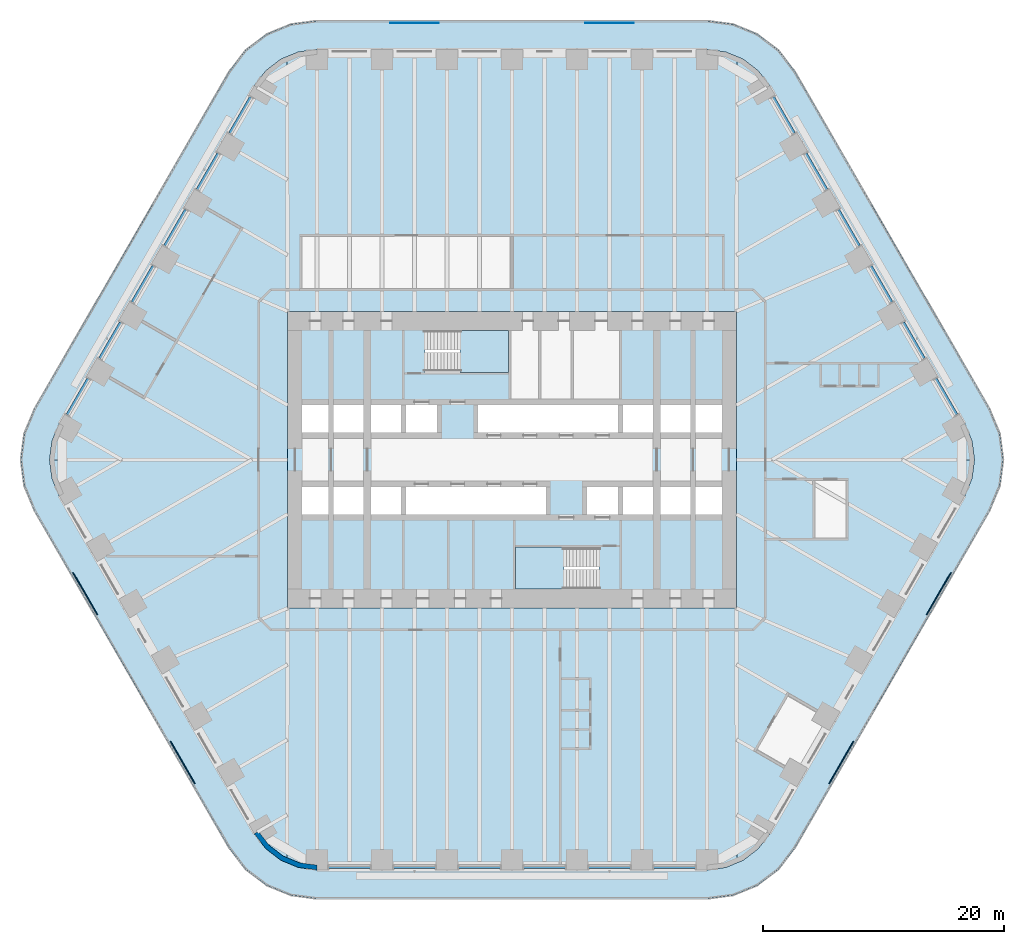
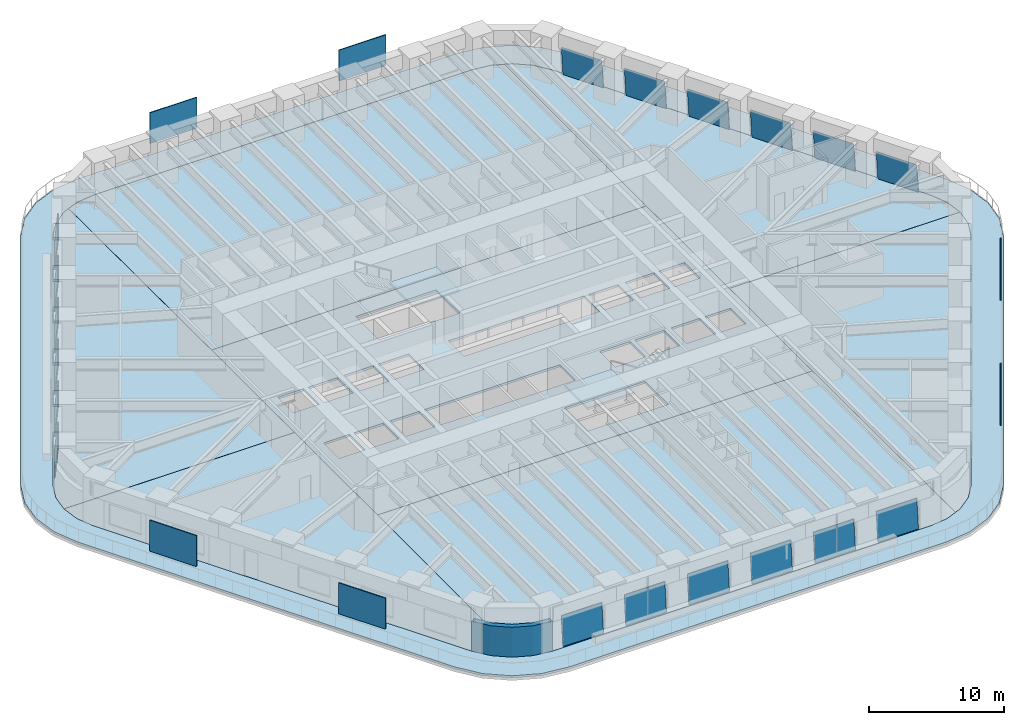
# One storey, part 15 of 24: 24 plates, 10 slabs, 1 wall, 20 elements without a shape of their own.
"""IFC4 building model written with IfcOpenShell, lengths in metres."""

from ifc_helpers import new_model, si_unit, direction, frame, origin, origin_2d, place, context, subcontext, project, spatial, polyline, rectangle, outline, extrude, material, layer, layer_set, type_object, element, aggregate, save


model = new_model("IFC4")

# Units and contexts
model_context = context("Model", 3, precision=1e-05, world=origin(), true_north=direction((0.0, 1.0)))
body_context = subcontext(model_context, "Body", "Model", "MODEL_VIEW")
ifc_project = project(units=[si_unit("LENGTHUNIT", "METRE"), si_unit("AREAUNIT", "SQUARE_METRE"), si_unit("VOLUMEUNIT", "CUBIC_METRE"), si_unit("PLANEANGLEUNIT", "RADIAN"), si_unit("MASSUNIT", "GRAM", prefix="KILO")], contexts=[model_context])

# Site, building, storey
site_placement = place(None, origin())
site = spatial("IfcSite", under=ifc_project, at=site_placement, CompositionType="ELEMENT")
building_placement = place(site_placement, origin())
building = spatial("IfcBuilding", under=site, at=building_placement, Name="Tarfa Lantern Tower", CompositionType="ELEMENT")
storey_placement = place(building_placement, frame((0.0, 0.0, 90.699951171875)))
storey = spatial("IfcBuildingStorey", under=building, at=storey_placement, Name="L20", CompositionType="ELEMENT", Elevation=90.699951171875)

# Slab
ifc_material_1 = material(Name="Concrete C40/50", Category="concrete")
ifc_layer_1 = layer(ifc_material_1, 0.199951171875)
ifc_layer_set_1 = layer_set([ifc_layer_1], Name="BS2 BALCONY SLAB 200")
slab_type_1 = type_object("IfcSlabType", Name="BS2 BALCONY SLAB 200", PredefinedType="FLOOR", material=ifc_layer_set_1)
slab_1_placement = place(storey_placement, frame((0.0, 0.0, -0.199951171875)))
element("IfcSlab", 1, at=slab_1_placement, inside=storey, type_object=slab_type_1, Name="Balcony L20", PredefinedType="FLOOR", context=body_context, shape_type="SweptSolid", body=[
    extrude(outline(polyline([(39.606201171875, 4.199951171875), (23.4404296875, 32.199951171875), (22.10546875, 33.939697265625), (20.36572265625, 35.274658203125), (18.33984375, 36.11376953125), (16.165771484375, 36.39990234375), (-16.165771484375, 36.39990234375), (-18.33984375, 36.11376953125), (-20.36572265625, 35.274658203125), (-22.10546875, 33.939697265625), (-23.4404296875, 32.199951171875), (-39.606201171875, 4.199951171875), (-40.4453125, 2.174072265625), (-40.731689453125, 0.0), (-40.4453125, -2.174072265625), (-39.606201171875, -4.199951171875), (-23.4404296875, -32.199951171875), (-22.10546875, -33.939697265625), (-20.36572265625, -35.274658203125), (-18.33984375, -36.11376953125), (-16.165771484375, -36.39990234375), (16.165771484375, -36.39990234375), (18.33984375, -36.11376953125), (20.36572265625, -35.274658203125), (22.10546875, -33.939697265625), (23.4404296875, -32.199951171875), (39.606201171875, -4.199951171875), (40.4453125, -2.174072265625), (40.731689453125, 0.0), (40.4453125, 2.174072265625), (39.606201171875, 4.199951171875)]), holes=[polyline([(37.52783203125, 3.0), (21.362060546875, 31.0), (20.408447265625, 32.24267578125), (19.165771484375, 33.196044921875), (17.71875, 33.795654296875), (16.165771484375, 34.0), (-16.165771484375, 34.0), (-17.71875, 33.795654296875), (-19.165771484375, 33.196044921875), (-20.408447265625, 32.24267578125), (-21.362060546875, 31.0), (-37.52783203125, 3.0), (-38.127197265625, 1.552978515625), (-38.33154296875, 0.0), (-38.127197265625, -1.552978515625), (-37.52783203125, -3.0), (-21.362060546875, -31.0), (-20.408447265625, -32.24267578125), (-19.165771484375, -33.196044921875), (-17.71875, -33.795654296875), (-16.165771484375, -34.0), (16.165771484375, -34.0), (17.71875, -33.795654296875), (19.165771484375, -33.196044921875), (20.408447265625, -32.24267578125), (21.362060546875, -31.0), (37.52783203125, -3.0), (38.127197265625, -1.552978515625), (38.33154296875, 0.0), (38.127197265625, 1.552978515625), (37.52783203125, 3.0)])]), origin(), (0.0, 0.0, 1.0), 0.199951171875),
])

# Curtain wall, plate
ifc_material_2 = material(Name="Aluminium framed curtain wall", Category="aluminium")
curtain_wall_type = type_object("IfcCurtainWallType", Name="CW1 CANTED GLAZING LOW ZONE 2700", PredefinedType="USERDEFINED", material=ifc_material_2)
curtain_wall_1_placement = place(storey_placement, origin())
curtain_wall_1 = element("IfcCurtainWall", 2, at=curtain_wall_1_placement, inside=storey, type_object=curtain_wall_type, Name="CW1 NE L20", ObjectType="CURTAIN WALL", PredefinedType="USERDEFINED")
ifc_material_3 = material(Name="Laminated double glazing", Category="glass")
ifc_layer_2 = layer(ifc_material_3, 0.028076171875)
ifc_layer_set_2 = layer_set([ifc_layer_2], Name="CWP1 DOUBLE GLAZED PANEL")
plate_type_1 = type_object("IfcPlateType", Name="CWP1 DOUBLE GLAZED PANEL", PredefinedType="CURTAIN_PANEL", material=ifc_layer_set_2)
plate_1_placement = place(storey_placement, frame((36.958740234375, 3.78564453125, 0.0), z_axis=(0.862328668437, 0.497885244559, 0.092193008634), x_axis=(-0.500014824519, 0.866016844675, 1.185802e-06)))
plate_1 = element("IfcPlate", 3, at=plate_1_placement, type_object=plate_type_1, Name="CW1 panel 1.1", PredefinedType="CURTAIN_PANEL", context=body_context, shape_type="SweptSolid", body=[
    extrude(outline(polyline([(0.0, 0.0), (3.4588050986823675, -2.7755575615628914e-17), (3.458687227400386, 2.6462757406584143), (0.00021563254350503633, 2.646283978259601), (0.0, 0.0)])), origin(), (0.0, 0.0, -1.0), 0.028076171875),
])
aggregate(curtain_wall_1, [plate_1])

curtain_wall_2_placement = place(storey_placement, origin())
curtain_wall_2 = element("IfcCurtainWall", 4, at=curtain_wall_2_placement, inside=storey, type_object=curtain_wall_type, Name="CW1 NE L20", ObjectType="CURTAIN WALL", PredefinedType="USERDEFINED")
plate_2_placement = place(storey_placement, frame((34.264404296875, 8.452392578125, 0.0), z_axis=(0.862340709651, 0.497857052326, 0.092232618567), x_axis=(-0.499988388526, 0.866032107567, 1.620746e-06)))
plate_2 = element("IfcPlate", 5, at=plate_2_placement, type_object=plate_type_1, Name="CW1 panel 1.1", PredefinedType="CURTAIN_PANEL", context=body_context, shape_type="SweptSolid", body=[
    extrude(outline(polyline([(0.0, 0.0), (3.4584715946188553, 0.0), (3.458680924575474, 2.6462839784417604), (-2.1036633928729573e-06, 2.646295237386087), (0.0, 0.0)])), origin(), (0.0, 0.0, -1.0), 0.028076171875),
])
aggregate(curtain_wall_2, [plate_2])

curtain_wall_3_placement = place(storey_placement, origin())
curtain_wall_3 = element("IfcCurtainWall", 6, at=curtain_wall_3_placement, inside=storey, type_object=curtain_wall_type, Name="CW1 NE L20", ObjectType="CURTAIN WALL", PredefinedType="USERDEFINED")
plate_3_placement = place(storey_placement, frame((31.570068359375, 13.119140625, 0.0), z_axis=(0.86231804758, 0.497899404143, 0.092215878092), x_axis=(-0.500029787915, 0.866008205036, -2.80672e-06)))
plate_3 = element("IfcPlate", 7, at=plate_3_placement, type_object=plate_type_1, Name="CW1 panel 1.1", PredefinedType="CURTAIN_PANEL", context=body_context, shape_type="SweptSolid", body=[
    extrude(outline(polyline([(0.0, 0.0), (3.458471593550903, 0.0), (3.458469494159286, 2.6462952359903724), (-0.00012417697655749924, 2.6462757386504), (0.0, 0.0)])), origin(), (0.0, 0.0, -1.0), 0.028076171875),
])
aggregate(curtain_wall_3, [plate_3])

curtain_wall_4_placement = place(storey_placement, origin())
curtain_wall_4 = element("IfcCurtainWall", 8, at=curtain_wall_4_placement, inside=storey, type_object=curtain_wall_type, Name="CW1 NE L20", ObjectType="CURTAIN WALL", PredefinedType="USERDEFINED")
plate_4_placement = place(storey_placement, frame((28.875732421875, 17.78564453125, 0.0), z_axis=(0.862328668437, 0.497885244559, 0.092193008634), x_axis=(-0.500014374553, 0.866017104462, -4.42593e-06)))
plate_4 = element("IfcPlate", 9, at=plate_4_placement, type_object=plate_type_1, Name="CW1 panel 1.1", PredefinedType="CURTAIN_PANEL", context=body_context, shape_type="SweptSolid", body=[
    extrude(outline(polyline([(0.0, 0.0), (3.458683024805527, 0.0), (3.45867231364208, 2.646295232853952), (7.864497178416369e-05, 2.646264486530969), (0.0, 0.0)])), origin(), (0.0, 0.0, -1.0), 0.028076171875),
])
aggregate(curtain_wall_4, [plate_4])

curtain_wall_5_placement = place(storey_placement, origin())
curtain_wall_5 = element("IfcCurtainWall", 10, at=curtain_wall_5_placement, inside=storey, type_object=curtain_wall_type, Name="CW1 NE L20", ObjectType="CURTAIN WALL", PredefinedType="USERDEFINED")
plate_5_placement = place(storey_placement, frame((26.181396484375, 22.452392578125, 0.0), z_axis=(0.862347061743, 0.497860719593, 0.092153399226), x_axis=(-0.499988388302, 0.866032107696, 1.619366e-06)))
plate_5 = element("IfcPlate", 11, at=plate_5_placement, type_object=plate_type_1, Name="CW1 panel 1.1", PredefinedType="CURTAIN_PANEL", context=body_context, shape_type="SweptSolid", body=[
    extrude(outline(polyline([(0.0, 0.0), (3.458471594618848, 0.0), (3.4585588533982596, 2.64626449077229), (-0.0001241748406306579, 2.6462757400462187), (0.0, 0.0)])), origin(), (0.0, 0.0, -1.0), 0.028076171875),
])
aggregate(curtain_wall_5, [plate_5])

curtain_wall_6_placement = place(storey_placement, origin())
curtain_wall_6 = element("IfcCurtainWall", 12, at=curtain_wall_6_placement, inside=storey, type_object=curtain_wall_type, Name="CW1 NE L20", ObjectType="CURTAIN WALL", PredefinedType="USERDEFINED")
plate_6_placement = place(storey_placement, frame((23.487060546875, 27.119140625, 0.0), z_axis=(0.862336442431, 0.497874879503, 0.092176268179), x_axis=(-0.500003541824, 0.866023358902, 0.0)))
plate_6 = element("IfcPlate", 13, at=plate_6_placement, type_object=plate_type_1, Name="CW1 panel 1.1", PredefinedType="CURTAIN_PANEL", context=body_context, shape_type="SweptSolid", body=[
    extrude(outline(polyline([(0.0, 0.0), (3.4584715951528233, 0.0), (3.4583474213801635, 2.6462757407441324), (-0.00012417377265973306, 2.6462757407441324), (0.0, 0.0)])), origin(), (0.0, 0.0, -1.0), 0.028076171875),
])
aggregate(curtain_wall_6, [plate_6])

curtain_wall_7_placement = place(storey_placement, origin())
curtain_wall_7 = element("IfcCurtainWall", 14, at=curtain_wall_7_placement, inside=storey, type_object=curtain_wall_type, Name="CW1 NW L20", ObjectType="CURTAIN WALL", PredefinedType="USERDEFINED")
plate_7_placement = place(storey_placement, frame((-21.7578125, 30.1142578125, 0.0), z_axis=(-0.862336442431, 0.497874879503, 0.092176268179), x_axis=(-0.500003541824, -0.866023358902, 0.0)))
plate_7 = element("IfcPlate", 15, at=plate_7_placement, type_object=plate_type_1, Name="CW1 panel 1.1", PredefinedType="CURTAIN_PANEL", context=body_context, shape_type="SweptSolid", body=[
    extrude(outline(polyline([(0.0, 0.0), (3.4584715951528233, 0.0), (3.4585957689254827, 2.6462757407441324), (0.00012417377265973306, 2.6462757407441324), (0.0, 0.0)])), origin(), (0.0, 0.0, -1.0), 0.028076171875),
])
aggregate(curtain_wall_7, [plate_7])

curtain_wall_8_placement = place(storey_placement, origin())
curtain_wall_8 = element("IfcCurtainWall", 16, at=curtain_wall_8_placement, inside=storey, type_object=curtain_wall_type, Name="CW1 NW L20", ObjectType="CURTAIN WALL", PredefinedType="USERDEFINED")
plate_8_placement = place(storey_placement, frame((-24.4521484375, 25.447509765625, 0.0), z_axis=(-0.862347061743, 0.497860719593, 0.092153399226), x_axis=(-0.499988388302, -0.866032107696, -1.619366e-06)))
plate_8 = element("IfcPlate", 17, at=plate_8_placement, type_object=plate_type_1, Name="CW1 panel 1.1", PredefinedType="CURTAIN_PANEL", context=body_context, shape_type="SweptSolid", body=[
    extrude(outline(polyline([(0.0, 0.0), (3.458471594618848, 0.0), (3.458595769459478, 2.6462757400462182), (-8.725877941228665e-05, 2.64626449077229), (0.0, 0.0)])), origin(), (0.0, 0.0, -1.0), 0.028076171875),
])
aggregate(curtain_wall_8, [plate_8])

curtain_wall_9_placement = place(storey_placement, origin())
curtain_wall_9 = element("IfcCurtainWall", 18, at=curtain_wall_9_placement, inside=storey, type_object=curtain_wall_type, Name="CW1 NW L20", ObjectType="CURTAIN WALL", PredefinedType="USERDEFINED")
plate_9_placement = place(storey_placement, frame((-27.146484375, 20.781005859375, 0.0), z_axis=(-0.862328668437, 0.497885244559, 0.092193008634), x_axis=(-0.500014374553, -0.866017104462, 4.42593e-06)))
plate_9 = element("IfcPlate", 19, at=plate_9_placement, type_object=plate_type_1, Name="CW1 panel 1.1", PredefinedType="CURTAIN_PANEL", context=body_context, shape_type="SweptSolid", body=[
    extrude(outline(polyline([(0.0, 0.0), (3.458683024805527, 0.0), (3.4586043798337425, 2.646264486530969), (1.0711163447508162e-05, 2.646295232853952), (0.0, 0.0)])), origin(), (0.0, 0.0, -1.0), 0.028076171875),
])
aggregate(curtain_wall_9, [plate_9])

curtain_wall_10_placement = place(storey_placement, origin())
curtain_wall_10 = element("IfcCurtainWall", 20, at=curtain_wall_10_placement, inside=storey, type_object=curtain_wall_type, Name="CW1 NW L20", ObjectType="CURTAIN WALL", PredefinedType="USERDEFINED")
plate_10_placement = place(storey_placement, frame((-29.8408203125, 16.1142578125, 0.0), z_axis=(-0.86231804758, 0.497899404143, 0.092215878092), x_axis=(-0.500029787915, -0.866008205036, 2.80672e-06)))
plate_10 = element("IfcPlate", 21, at=plate_10_placement, type_object=plate_type_1, Name="CW1 panel 1.1", PredefinedType="CURTAIN_PANEL", context=body_context, shape_type="SweptSolid", body=[
    extrude(outline(polyline([(0.0, 0.0), (3.458471593550903, 0.0), (3.4585957705274604, 2.6462757386504), (2.099391617293653e-06, 2.6462952359903724), (0.0, 0.0)])), origin(), (0.0, 0.0, -1.0), 0.028076171875),
])
aggregate(curtain_wall_10, [plate_10])

curtain_wall_11_placement = place(storey_placement, origin())
curtain_wall_11 = element("IfcCurtainWall", 22, at=curtain_wall_11_placement, inside=storey, type_object=curtain_wall_type, Name="CW1 NW L20", ObjectType="CURTAIN WALL", PredefinedType="USERDEFINED")
plate_11_placement = place(storey_placement, frame((-32.53515625, 11.447509765625, 0.0), z_axis=(-0.862340709651, 0.497857052326, 0.092232618567), x_axis=(-0.499988388526, -0.866032107567, -1.620746e-06)))
plate_11 = element("IfcPlate", 23, at=plate_11_placement, type_object=plate_type_1, Name="CW1 panel 1.1", PredefinedType="CURTAIN_PANEL", context=body_context, shape_type="SweptSolid", body=[
    extrude(outline(polyline([(0.0, 0.0), (3.4584715946188553, 0.0), (3.458473698282248, 2.646295237386087), (-0.00020932995661861062, 2.6462839784417604), (0.0, 0.0)])), origin(), (0.0, 0.0, -1.0), 0.028076171875),
])
aggregate(curtain_wall_11, [plate_11])

curtain_wall_12_placement = place(storey_placement, origin())
curtain_wall_12 = element("IfcCurtainWall", 24, at=curtain_wall_12_placement, inside=storey, type_object=curtain_wall_type, Name="CW1 NW L20", ObjectType="CURTAIN WALL", PredefinedType="USERDEFINED")
plate_12_placement = place(storey_placement, frame((-35.229248046875, 6.781005859375, 0.0), z_axis=(-0.862328668437, 0.497885244559, 0.092193008634), x_axis=(-0.500014824519, -0.866016844675, -1.185802e-06)))
plate_12 = element("IfcPlate", 25, at=plate_12_placement, type_object=plate_type_1, Name="CW1 panel 1.1", PredefinedType="CURTAIN_PANEL", context=body_context, shape_type="SweptSolid", body=[
    extrude(outline(polyline([(0.0, 0.0), (3.4588050986823675, 2.7755575615628914e-17), (3.4585894661388625, 2.646283978259601), (0.00011787128198159993, 2.6462757406584143), (0.0, 0.0)])), origin(), (0.0, 0.0, -1.0), 0.028076171875),
])
aggregate(curtain_wall_12, [plate_12])

curtain_wall_13_placement = place(storey_placement, origin())
curtain_wall_13 = element("IfcCurtainWall", 26, at=curtain_wall_13_placement, inside=storey, type_object=curtain_wall_type, Name="CW1 S L20", ObjectType="CURTAIN WALL", PredefinedType="USERDEFINED")
plate_13_placement = place(storey_placement, frame((-15.200927734375, -33.89990234375, 0.0), z_axis=(0.0, -0.995743653657, 0.092166025202), x_axis=(1.0, 0.0, 0.0)))
plate_13 = element("IfcPlate", 27, at=plate_13_placement, type_object=plate_type_1, Name="CW1 panel 1.1", PredefinedType="CURTAIN_PANEL", context=body_context, shape_type="SweptSolid", body=[
    extrude(outline(polyline([(0.0, 0.0), (3.458740234375, 0.0), (3.458740234375, 2.6462732209712594), (0.0, 2.6462732209712594), (0.0, 0.0)])), origin(), (0.0, 0.0, -1.0), 0.028076171875),
])
aggregate(curtain_wall_13, [plate_13])

curtain_wall_14_placement = place(storey_placement, origin())
curtain_wall_14 = element("IfcCurtainWall", 28, at=curtain_wall_14_placement, inside=storey, type_object=curtain_wall_type, Name="CW1 S L20", ObjectType="CURTAIN WALL", PredefinedType="USERDEFINED")
plate_14_placement = place(storey_placement, frame((-9.812255859375, -33.89990234375, 0.0), z_axis=(0.0, -0.995743653657, 0.092166025202), x_axis=(1.0, 0.0, 0.0)))
plate_14 = element("IfcPlate", 29, at=plate_14_placement, type_object=plate_type_1, Name="CW1 panel 1.1", PredefinedType="CURTAIN_PANEL", context=body_context, shape_type="SweptSolid", body=[
    extrude(outline(polyline([(0.0, 0.0), (3.458740234375, 0.0), (3.458740234375, 2.6462732209712594), (0.0, 2.6462732209712594), (0.0, 0.0)])), origin(), (0.0, 0.0, -1.0), 0.028076171875),
])
aggregate(curtain_wall_14, [plate_14])

curtain_wall_15_placement = place(storey_placement, origin())
curtain_wall_15 = element("IfcCurtainWall", 30, at=curtain_wall_15_placement, inside=storey, type_object=curtain_wall_type, Name="CW1 S L20", ObjectType="CURTAIN WALL", PredefinedType="USERDEFINED")
plate_15_placement = place(storey_placement, frame((-4.423583984375, -33.89990234375, 0.0), z_axis=(0.0, -0.995743653657, 0.092166025202), x_axis=(1.0, 0.0, 0.0)))
plate_15 = element("IfcPlate", 31, at=plate_15_placement, type_object=plate_type_1, Name="CW1 panel 1.1", PredefinedType="CURTAIN_PANEL", context=body_context, shape_type="SweptSolid", body=[
    extrude(outline(polyline([(0.0, 0.0), (3.45849609375, 0.0), (3.45849609375, 2.6462732209712594), (0.0, 2.6462732209712594), (0.0, 0.0)])), origin(), (0.0, 0.0, -1.0), 0.028076171875),
])
aggregate(curtain_wall_15, [plate_15])

curtain_wall_16_placement = place(storey_placement, origin())
curtain_wall_16 = element("IfcCurtainWall", 32, at=curtain_wall_16_placement, inside=storey, type_object=curtain_wall_type, Name="CW1 S L20", ObjectType="CURTAIN WALL", PredefinedType="USERDEFINED")
plate_16_placement = place(storey_placement, frame((0.965087890625, -33.89990234375, 0.0), z_axis=(0.0, -0.995743653657, 0.092166025202), x_axis=(1.0, 0.0, 0.0)))
plate_16 = element("IfcPlate", 33, at=plate_16_placement, type_object=plate_type_1, Name="CW1 panel 1.1", PredefinedType="CURTAIN_PANEL", context=body_context, shape_type="SweptSolid", body=[
    extrude(outline(polyline([(0.0, 0.0), (3.45849609375, 0.0), (3.45849609375, 2.6462732209712594), (0.0, 2.6462732209712594), (0.0, 0.0)])), origin(), (0.0, 0.0, -1.0), 0.028076171875),
])
aggregate(curtain_wall_16, [plate_16])

curtain_wall_17_placement = place(storey_placement, origin())
curtain_wall_17 = element("IfcCurtainWall", 34, at=curtain_wall_17_placement, inside=storey, type_object=curtain_wall_type, Name="CW1 S L20", ObjectType="CURTAIN WALL", PredefinedType="USERDEFINED")
plate_17_placement = place(storey_placement, frame((6.353515625, -33.89990234375, 0.0), z_axis=(0.0, -0.995743653657, 0.092166025202), x_axis=(1.0, 0.0, 0.0)))
plate_17 = element("IfcPlate", 35, at=plate_17_placement, type_object=plate_type_1, Name="CW1 panel 1.1", PredefinedType="CURTAIN_PANEL", context=body_context, shape_type="SweptSolid", body=[
    extrude(outline(polyline([(0.0, 0.0), (3.458740234375, 0.0), (3.458740234375, 2.6462732209712594), (0.0, 2.6462732209712594), (0.0, 0.0)])), origin(), (0.0, 0.0, -1.0), 0.028076171875),
])
aggregate(curtain_wall_17, [plate_17])

curtain_wall_18_placement = place(storey_placement, origin())
curtain_wall_18 = element("IfcCurtainWall", 36, at=curtain_wall_18_placement, inside=storey, type_object=curtain_wall_type, Name="CW1 S L20", ObjectType="CURTAIN WALL", PredefinedType="USERDEFINED")
plate_18_placement = place(storey_placement, frame((11.7421875, -33.89990234375, 0.0), z_axis=(0.0, -0.995743653657, 0.092166025202), x_axis=(1.0, 0.0, 0.0)))
plate_18 = element("IfcPlate", 37, at=plate_18_placement, type_object=plate_type_1, Name="CW1 panel 1.1", PredefinedType="CURTAIN_PANEL", context=body_context, shape_type="SweptSolid", body=[
    extrude(outline(polyline([(0.0, 0.0), (3.458740234375, 0.0), (3.458740234375, 2.6462732209712594), (0.0, 2.6462732209712594), (0.0, 0.0)])), origin(), (0.0, 0.0, -1.0), 0.028076171875),
])
aggregate(curtain_wall_18, [plate_18])

# Slabs
ifc_layer_3 = layer(ifc_material_1, 0.199951171875)
ifc_layer_set_3 = layer_set([ifc_layer_3], Name="FS1 FLOOR SLAB 200")
slab_type_2 = type_object("IfcSlabType", Name="FS1 FLOOR SLAB 200", PredefinedType="FLOOR", material=ifc_layer_set_3)
slab_2_placement = place(storey_placement, frame((0.0, 0.0, -0.199951171875)))
element("IfcSlab", 38, at=slab_2_placement, inside=storey, type_object=slab_type_2, Name="Floor slab L20", PredefinedType="FLOOR", context=body_context, shape_type="SweptSolid", body=[
    extrude(outline(polyline([(-18.60009765625, -12.300048828125), (18.60009765625, -12.300048828125), (18.60009765625, 12.300048828125), (-18.60009765625, 12.300048828125), (-18.60009765625, -12.300048828125)]), holes=[polyline([(-17.39990234375, 2.25), (-15.199951171875, 2.25), (-15.199951171875, 4.550048828125), (-17.39990234375, 4.550048828125), (-17.39990234375, 2.25)]), polyline([(-14.800048828125, 2.25), (-12.300048828125, 2.25), (-12.300048828125, 4.550048828125), (-14.800048828125, 4.550048828125), (-14.800048828125, 2.25)]), polyline([(-11.699951171875, 2.25), (-9.199951171875, 2.25), (-9.199951171875, 4.550048828125), (-11.699951171875, 4.550048828125), (-11.699951171875, 2.25)]), polyline([(-8.800048828125, 2.25), (-6.199951171875, 2.25), (-6.199951171875, 4.550048828125), (-8.800048828125, 4.550048828125), (-8.800048828125, 2.25)]), polyline([(-2.800048828125, 2.25), (8.800048828125, 2.25), (8.800048828125, 4.550048828125), (-2.800048828125, 4.550048828125), (-2.800048828125, 2.25)]), polyline([(9.199951171875, 2.25), (11.699951171875, 2.25), (11.699951171875, 4.550048828125), (9.199951171875, 4.550048828125), (9.199951171875, 2.25)]), polyline([(12.300048828125, 2.25), (14.800048828125, 2.25), (14.800048828125, 4.550048828125), (12.300048828125, 4.550048828125), (12.300048828125, 2.25)]), polyline([(15.199951171875, 2.25), (17.39990234375, 2.25), (17.39990234375, 4.550048828125), (15.199951171875, 4.550048828125), (15.199951171875, 2.25)]), polyline([(17.39990234375, -2.25), (15.199951171875, -2.25), (15.199951171875, -4.550048828125), (17.39990234375, -4.550048828125), (17.39990234375, -2.25)]), polyline([(14.800048828125, -2.25), (12.300048828125, -2.25), (12.300048828125, -4.550048828125), (14.800048828125, -4.550048828125), (14.800048828125, -2.25)]), polyline([(11.699951171875, -2.25), (9.199951171875, -2.25), (9.199951171875, -4.550048828125), (11.699951171875, -4.550048828125), (11.699951171875, -2.25)]), polyline([(8.800048828125, -2.25), (6.199951171875, -2.25), (6.199951171875, -4.550048828125), (8.800048828125, -4.550048828125), (8.800048828125, -2.25)]), polyline([(2.800048828125, -2.25), (-8.800048828125, -2.25), (-8.800048828125, -4.550048828125), (2.800048828125, -4.550048828125), (2.800048828125, -2.25)]), polyline([(-9.199951171875, -2.25), (-11.699951171875, -2.25), (-11.699951171875, -4.550048828125), (-9.199951171875, -4.550048828125), (-9.199951171875, -2.25)]), polyline([(-12.300048828125, -2.25), (-14.800048828125, -2.25), (-14.800048828125, -4.550048828125), (-12.300048828125, -4.550048828125), (-12.300048828125, -2.25)]), polyline([(-15.199951171875, -2.25), (-17.39990234375, -2.25), (-17.39990234375, -4.550048828125), (-15.199951171875, -4.550048828125), (-15.199951171875, -2.25)]), polyline([(-7.199951171875, 7.25), (-0.300048828125, 7.25), (-0.300048828125, 10.699951171875), (-7.199951171875, 10.699951171875), (-7.199951171875, 7.25)]), polyline([(7.199951171875, -7.25), (0.300048828125, -7.25), (0.300048828125, -10.699951171875), (7.199951171875, -10.699951171875), (7.199951171875, -7.25)])]), origin(), (0.0, 0.0, 1.0), 0.199951171875),
])
slab_3_placement = place(storey_placement, frame((0.0, 0.0, -0.199951171875)))
element("IfcSlab", 39, at=slab_3_placement, inside=storey, type_object=slab_type_2, Name="Floor slab L20 NE bay", PredefinedType="FLOOR", context=body_context, shape_type="SweptSolid", body=[
    extrude(outline(polyline([(37.52587890625, 2.9990234375), (21.3603515625, 30.998779296875), (20.406982421875, 32.2412109375), (19.164794921875, 33.1943359375), (18.64697265625, 33.408935546875), (18.60205078125, 12.300048828125), (18.60205078125, 0.001953125), (38.329345703125, 0.001953125), (38.125244140625, 1.552490234375), (37.52587890625, 2.9990234375)])), origin(), (0.0, 0.0, 1.0), 0.199951171875),
])
slab_4_placement = place(storey_placement, frame((0.0, 0.0, -0.199951171875)))
element("IfcSlab", 40, at=slab_4_placement, inside=storey, type_object=slab_type_2, Name="Floor slab L20 N bay", PredefinedType="FLOOR", context=body_context, shape_type="SweptSolid", body=[
    extrude(outline(polyline([(-18.597900390625, 12.302001953125), (18.597900390625, 12.302001953125), (18.64306640625, 33.41064453125), (17.71826171875, 33.793701171875), (16.165771484375, 33.998046875), (-16.165771484375, 33.998046875), (-17.71826171875, 33.793701171875), (-18.64306640625, 33.41064453125), (-18.597900390625, 12.302001953125)])), origin(), (0.0, 0.0, 1.0), 0.199951171875),
])
slab_5_placement = place(storey_placement, frame((0.0, 0.0, -0.199951171875)))
element("IfcSlab", 41, at=slab_5_placement, inside=storey, type_object=slab_type_2, Name="Floor slab L20 NW bay", PredefinedType="FLOOR", context=body_context, shape_type="SweptSolid", body=[
    extrude(outline(polyline([(-18.60205078125, 0.001953125), (-18.60205078125, 12.300048828125), (-18.64697265625, 33.408935546875), (-19.164794921875, 33.1943359375), (-20.406982421875, 32.2412109375), (-21.3603515625, 30.998779296875), (-37.52587890625, 2.9990234375), (-38.125244140625, 1.552490234375), (-38.329345703125, 0.001953125), (-18.60205078125, 0.001953125)])), origin(), (0.0, 0.0, 1.0), 0.199951171875),
])
slab_6_placement = place(storey_placement, frame((0.0, 0.0, -0.199951171875)))
element("IfcSlab", 42, at=slab_6_placement, inside=storey, type_object=slab_type_2, Name="Floor slab L20 SW bay", PredefinedType="FLOOR", context=body_context, shape_type="SweptSolid", body=[
    extrude(outline(polyline([(-18.60205078125, -12.300048828125), (-18.60205078125, -0.001953125), (-38.329345703125, -0.001953125), (-38.125244140625, -1.552490234375), (-37.52587890625, -2.9990234375), (-21.3603515625, -30.998779296875), (-20.406982421875, -32.2412109375), (-19.164794921875, -33.1943359375), (-18.64697265625, -33.408935546875), (-18.60205078125, -12.300048828125)])), origin(), (0.0, 0.0, 1.0), 0.199951171875),
])
slab_7_placement = place(storey_placement, frame((0.0, 0.0, -0.199951171875)))
element("IfcSlab", 43, at=slab_7_placement, inside=storey, type_object=slab_type_2, Name="Floor slab L20 S bay", PredefinedType="FLOOR", context=body_context, shape_type="SweptSolid", body=[
    extrude(outline(polyline([(18.597900390625, -12.302001953125), (-18.597900390625, -12.302001953125), (-18.64306640625, -33.41064453125), (-17.71826171875, -33.793701171875), (-16.165771484375, -33.998046875), (16.165771484375, -33.998046875), (17.71826171875, -33.793701171875), (18.64306640625, -33.41064453125), (18.597900390625, -12.302001953125)])), origin(), (0.0, 0.0, 1.0), 0.199951171875),
])
slab_8_placement = place(storey_placement, frame((0.0, 0.0, -0.199951171875)))
element("IfcSlab", 44, at=slab_8_placement, inside=storey, type_object=slab_type_2, Name="Floor slab L20 SE bay", PredefinedType="FLOOR", context=body_context, shape_type="SweptSolid", body=[
    extrude(outline(polyline([(18.60205078125, -0.001953125), (18.60205078125, -12.300048828125), (18.64697265625, -33.408935546875), (19.164794921875, -33.1943359375), (20.406982421875, -32.2412109375), (21.3603515625, -30.998779296875), (37.52587890625, -2.9990234375), (38.125244140625, -1.552490234375), (38.329345703125, -0.001953125), (18.60205078125, -0.001953125)])), origin(), (0.0, 0.0, 1.0), 0.199951171875),
])

# Plates
ifc_material_4 = material(Name="Perforated limestone screen", Category="masonry")
ifc_layer_4 = layer(ifc_material_4, 0.080078125)
ifc_layer_set_4 = layer_set([ifc_layer_4], Name="SC1 STONE SCREEN 80")
plate_type_2 = type_object("IfcPlateType", Name="SC1 STONE SCREEN 80", PredefinedType="USERDEFINED", material=ifc_layer_set_4)
for number, where, z_axis, x_axis, name in (
    (45, (8.0830078125, 36.199951171875, 1.2001953125), (0.0, 0.0, 1.0), (-1.0, 0.0, 0.0), "Stone screen N 1"),
    (46, (-8.0830078125, 36.199951171875, 1.2001953125), (0.0, 0.0, 1.0), (-1.0, 0.0, 0.0), "Stone screen N 2"),
    (47, (-35.3916015625, -11.10009765625, 1.2001953125), (0.0, 0.0, 1.0), (0.5, -0.866025403784, 0.0), "Stone screen SW 1"),
    (48, (-27.30859375, -25.10009765625, 1.2001953125), (0.0, 0.0, 1.0), (0.5, -0.866025403784, 0.0), "Stone screen SW 2"),
    (49, (27.30859375, -25.10009765625, 1.2001953125), (0.0, 0.0, 1.0), (0.5, 0.866025403784, 0.0), "Stone screen SE 1"),
    (50, (35.3916015625, -11.10009765625, 1.2001953125), (0.0, 0.0, 1.0), (0.5, 0.866025403784, 0.0), "Stone screen SE 2"),
):
    element("IfcPlate", number, at=place(storey_placement, frame(where, z_axis=z_axis, x_axis=x_axis)), inside=storey, type_object=plate_type_2, Name=name, ObjectType="SCREEN", PredefinedType="USERDEFINED", context=body_context, shape_type="SweptSolid", body=[
        extrude(rectangle(XDim=4.0, YDim=0.080078125, at=origin_2d()), origin(), (0.0, 0.0, 1.0), 2.800048828125),
    ])

# Stair, slab
stair_type = type_object("IfcStairType", Name="ST-T10 HALF-TURN STAIR 4200 RISE", PredefinedType="HALF_TURN_STAIR", material=ifc_material_1)
stair_1_placement = place(storey_placement, origin())
stair_1 = element("IfcStair", 51, at=stair_1_placement, inside=storey, type_object=stair_type, Name="Stair ST1", PredefinedType="HALF_TURN_STAIR")
ifc_layer_5 = layer(ifc_material_1, 0.199951171875)
ifc_layer_set_5 = layer_set([ifc_layer_5], Name="SL1 STAIR LANDING 200")
slab_type_3 = type_object("IfcSlabType", Name="SL1 STAIR LANDING 200", PredefinedType="LANDING", material=ifc_layer_set_5)
slab_9_placement = place(storey_placement, frame((0.0, 0.0, 1.900146484375)))
slab_9 = element("IfcSlab", 52, at=slab_9_placement, type_object=slab_type_3, Name="ST1 landing 1", PredefinedType="LANDING", context=body_context, shape_type="SweptSolid", body=[
    extrude(outline(polyline([(-4.320068359375, 7.25), (-0.300048828125, 7.25), (-0.300048828125, 10.699951171875), (-4.320068359375, 10.699951171875), (-4.320068359375, 7.25)])), origin(), (0.0, 0.0, 1.0), 0.199951171875),
])
aggregate(stair_1, [slab_9])

stair_2_placement = place(storey_placement, origin())
stair_2 = element("IfcStair", 53, at=stair_2_placement, inside=storey, type_object=stair_type, Name="Stair ST2", PredefinedType="HALF_TURN_STAIR")
slab_10_placement = place(storey_placement, frame((0.0, 0.0, 1.900146484375)))
slab_10 = element("IfcSlab", 54, at=slab_10_placement, type_object=slab_type_3, Name="ST2 landing 1", PredefinedType="LANDING", context=body_context, shape_type="SweptSolid", body=[
    extrude(outline(polyline([(4.320068359375, -7.25), (0.300048828125, -7.25), (0.300048828125, -10.699951171875), (4.320068359375, -10.699951171875), (4.320068359375, -7.25)])), origin(), (0.0, 0.0, 1.0), 0.199951171875),
])
aggregate(stair_2, [slab_10])

# Wall
ifc_material_5 = material(Name="Limestone cladding on blockwork", Category="masonry")
ifc_layer_6 = layer(ifc_material_5, 0.39990234375)
ifc_layer_set_6 = layer_set([ifc_layer_6], Name="EW2 CURVED STONE CORNER 400")
wall_type = type_object("IfcWallType", Name="EW2 CURVED STONE CORNER 400", PredefinedType="SOLIDWALL", material=ifc_layer_set_6)
wall_placement = place(storey_placement, origin())
element("IfcWall", 55, at=wall_placement, inside=storey, type_object=wall_type, Name="Stone corner SW-S", PredefinedType="SOLIDWALL", context=body_context, shape_type="SweptSolid", body=[
    extrude(outline(polyline([(-21.362060546875, -31.0), (-20.408447265625, -32.24267578125), (-19.165771484375, -33.196044921875), (-17.71875, -33.795654296875), (-16.165771484375, -34.0), (-16.165771484375, -33.60009765625), (-17.615234375, -33.4091796875), (-18.9658203125, -32.849853515625), (-20.12548828125, -31.959716796875), (-21.015625, -30.800048828125), (-21.362060546875, -31.0)])), origin(), (0.0, 0.0, 1.0), 2.699951171875),
])

save(model, "model.ifc")
